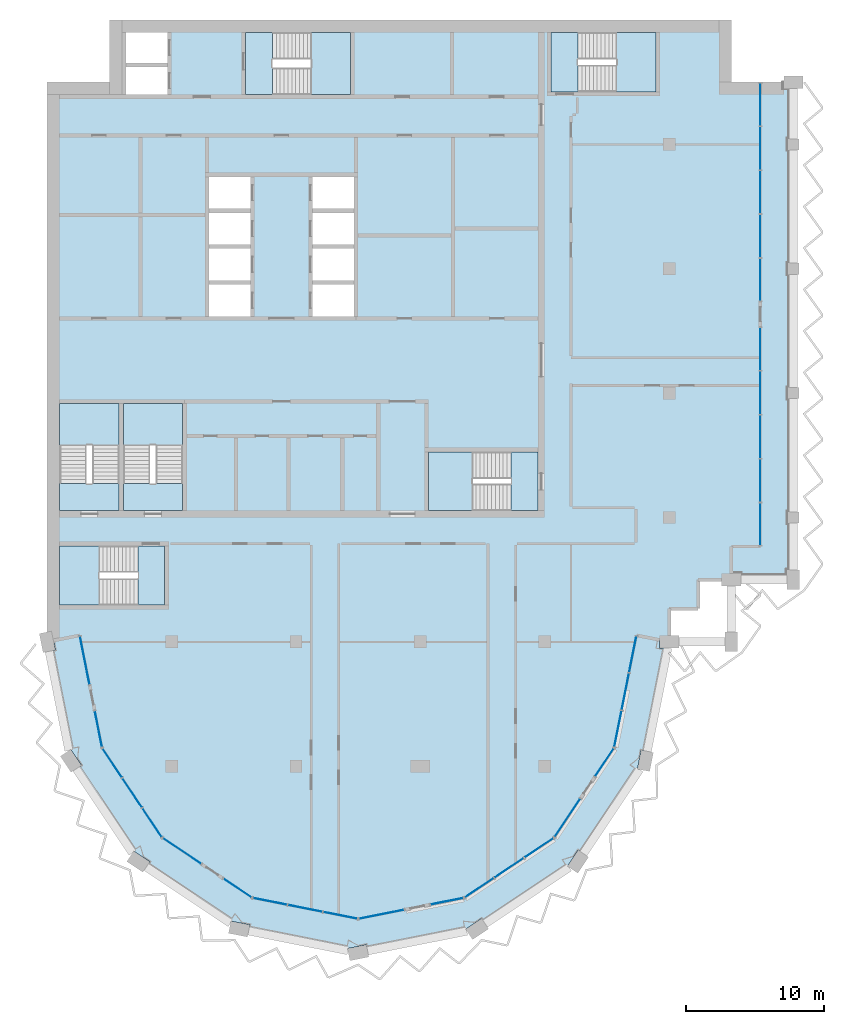
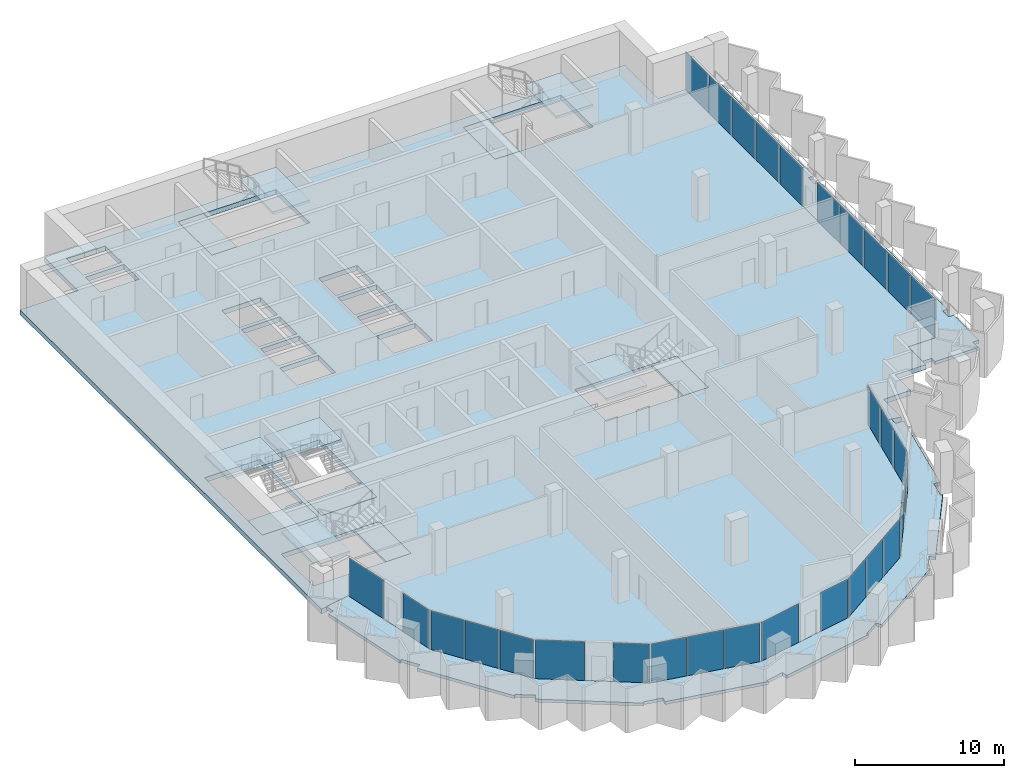
# One storey, part 4 of 13: 30 plates, 15 slabs, 20 elements without a shape of their own.
"""IFC4 building model written with IfcOpenShell, lengths in metres."""

from ifc_helpers import new_model, si_unit, direction, frame, origin, origin_2d, place, context, subcontext, project, spatial, polyline, rectangle, outline, extrude, material, layer, layer_set, type_object, element, aggregate, save


model = new_model("IFC4")

# Units and contexts
model_context = context("Model", 3, precision=1e-05, world=origin(), true_north=direction((0.0, 1.0)))
body_context = subcontext(model_context, "Body", "Model", "MODEL_VIEW")
ifc_project = project(units=[si_unit("LENGTHUNIT", "METRE"), si_unit("AREAUNIT", "SQUARE_METRE"), si_unit("VOLUMEUNIT", "CUBIC_METRE"), si_unit("PLANEANGLEUNIT", "RADIAN"), si_unit("MASSUNIT", "GRAM", prefix="KILO")], contexts=[model_context])

# Site, building, storey
site_placement = place(None, origin())
site = spatial("IfcSite", under=ifc_project, at=site_placement, CompositionType="ELEMENT")
building_placement = place(site_placement, origin())
building = spatial("IfcBuilding", under=site, at=building_placement, Name="Hunhe Ridgeline Campus", CompositionType="ELEMENT")
storey_placement = place(building_placement, frame((0.0, 0.0, 299.300048828125)))
storey = spatial("IfcBuildingStorey", under=building, at=storey_placement, Name="L77", CompositionType="ELEMENT", Elevation=299.300048828125)

# Curtain wall, plate
ifc_material_1 = material(Name="Aluminium 6063", Category="aluminium")
curtain_wall_type = type_object("IfcCurtainWallType", Name="Curtain wall CW-4", PredefinedType="NOTDEFINED", material=ifc_material_1)
curtain_wall_1_placement = place(storey_placement, origin())
curtain_wall_1 = element("IfcCurtainWall", 1, at=curtain_wall_1_placement, inside=storey, type_object=curtain_wall_type, Name="Curtain wall 01", PredefinedType="NOTDEFINED")
ifc_material_2 = material(Name="Low-e laminated glass", Category="glass")
ifc_layer_1 = layer(ifc_material_2, 0.028076171875)
ifc_layer_set_1 = layer_set([ifc_layer_1], Name="Curtain wall glass panel 28 low-e laminated")
plate_type = type_object("IfcPlateType", Name="Curtain wall glass panel 28 low-e laminated", PredefinedType="CURTAIN_PANEL", material=ifc_layer_set_1)
plate_1_placement = place(storey_placement, frame((2.7158203125, 52.65380859375, 0.0), z_axis=(0.0, 0.0, 1.0), x_axis=(0.195095326561, -0.980784284924, 0.0)))
plate_1 = element("IfcPlate", 2, at=plate_1_placement, type_object=plate_type, Name="CW-4 panel 1", PredefinedType="CURTAIN_PANEL", context=body_context, shape_type="SweptSolid", body=[
    extrude(rectangle(XDim=3.540771484375, YDim=0.028076171875, at=origin_2d()), origin(), (0.0, 0.0, 1.0), 3.169921875),
])
aggregate(curtain_wall_1, [plate_1])

curtain_wall_2_placement = place(storey_placement, origin())
curtain_wall_2 = element("IfcCurtainWall", 3, at=curtain_wall_2_placement, inside=storey, type_object=curtain_wall_type, Name="Curtain wall 02", PredefinedType="NOTDEFINED")
plate_2_placement = place(storey_placement, frame((3.701171875, 47.699951171875, 0.0), z_axis=(0.0, 0.0, 1.0), x_axis=(0.195095265587, -0.980784297053, 0.0)))
plate_2 = element("IfcPlate", 4, at=plate_2_placement, type_object=plate_type, Name="CW-4 panel 1", PredefinedType="CURTAIN_PANEL", context=body_context, shape_type="SweptSolid", body=[
    extrude(rectangle(XDim=2.640869140625, YDim=0.028076171875, at=origin_2d()), origin(), (0.0, 0.0, 1.0), 3.169921875),
])
aggregate(curtain_wall_2, [plate_2])

# Curtain wall, plates
curtain_wall_3_placement = place(storey_placement, origin())
curtain_wall_3 = element("IfcCurtainWall", 5, at=curtain_wall_3_placement, inside=storey, type_object=curtain_wall_type, Name="Curtain wall 03", PredefinedType="NOTDEFINED")
plate_3_placement = place(storey_placement, frame((4.7099609375, 45.2255859375, 0.0), z_axis=(0.0, 0.0, 1.0), x_axis=(0.555570274596, -0.831469584522, 0.0)))
plate_3 = element("IfcPlate", 6, at=plate_3_placement, type_object=plate_type, Name="CW-4 panel 1", PredefinedType="CURTAIN_PANEL", context=body_context, shape_type="SweptSolid", body=[
    extrude(rectangle(XDim=2.488037109375, YDim=0.028076171875, at=origin_2d()), origin(), (0.0, 0.0, 1.0), 3.169921875),
])
plate_4_placement = place(storey_placement, frame((6.147705078125, 43.07373046875, 0.0), z_axis=(0.0, 0.0, 1.0), x_axis=(0.555570274596, -0.831469584522, 0.0)))
plate_4 = element("IfcPlate", 7, at=plate_4_placement, type_object=plate_type, Name="CW-4 panel 2", PredefinedType="CURTAIN_PANEL", context=body_context, shape_type="SweptSolid", body=[
    extrude(rectangle(XDim=2.528076171875, YDim=0.028076171875, at=origin_2d()), origin(), (0.0, 0.0, 1.0), 3.169921875),
])
plate_5_placement = place(storey_placement, frame((7.58544921875, 40.921875, 0.0), z_axis=(0.0, 0.0, 1.0), x_axis=(0.555570274596, -0.831469584522, 0.0)))
plate_5 = element("IfcPlate", 8, at=plate_5_placement, type_object=plate_type, Name="CW-4 panel 3", PredefinedType="CURTAIN_PANEL", context=body_context, shape_type="SweptSolid", body=[
    extrude(rectangle(XDim=2.488037109375, YDim=0.028076171875, at=origin_2d()), origin(), (0.0, 0.0, 1.0), 3.169921875),
])
aggregate(curtain_wall_3, [plate_3, plate_4, plate_5])

# Curtain wall, plate
curtain_wall_4_placement = place(storey_placement, origin())
curtain_wall_4 = element("IfcCurtainWall", 9, at=curtain_wall_4_placement, inside=storey, type_object=curtain_wall_type, Name="Curtain wall 04", PredefinedType="NOTDEFINED")
plate_6_placement = place(storey_placement, frame((9.76025390625, 38.859375, 0.0), z_axis=(0.0, 0.0, 1.0), x_axis=(0.831469595944, -0.555570257501, 0.0)))
plate_6 = element("IfcPlate", 10, at=plate_6_placement, type_object=plate_type, Name="CW-4 panel 1", PredefinedType="CURTAIN_PANEL", context=body_context, shape_type="SweptSolid", body=[
    extrude(rectangle(XDim=3.302001953125, YDim=0.028076171875, at=origin_2d()), origin(), (0.0, 0.0, 1.0), 3.169921875),
])
aggregate(curtain_wall_4, [plate_6])

curtain_wall_5_placement = place(storey_placement, origin())
curtain_wall_5 = element("IfcCurtainWall", 11, at=curtain_wall_5_placement, inside=storey, type_object=curtain_wall_type, Name="Curtain wall 05", PredefinedType="NOTDEFINED")
plate_7_placement = place(storey_placement, frame((13.761474609375, 36.18603515625, 0.0), z_axis=(0.0, 0.0, 1.0), x_axis=(0.831469510353, -0.555570385598, 0.0)))
plate_7 = element("IfcPlate", 12, at=plate_7_placement, type_object=plate_type, Name="CW-4 panel 1", PredefinedType="CURTAIN_PANEL", context=body_context, shape_type="SweptSolid", body=[
    extrude(rectangle(XDim=2.40185546875, YDim=0.028076171875, at=origin_2d()), origin(), (0.0, 0.0, 1.0), 3.169921875),
])
aggregate(curtain_wall_5, [plate_7])

# Curtain wall, plates
curtain_wall_6_placement = place(storey_placement, origin())
curtain_wall_6 = element("IfcCurtainWall", 13, at=curtain_wall_6_placement, inside=storey, type_object=curtain_wall_type, Name="Curtain wall 06", PredefinedType="NOTDEFINED")
plate_8_placement = place(storey_placement, frame((16.125, 35.216064453125, 0.0), z_axis=(0.0, 0.0, 1.0), x_axis=(0.980785275326, -0.195090347539, 0.0)))
plate_8 = element("IfcPlate", 14, at=plate_8_placement, type_object=plate_type, Name="CW-4 panel 1", PredefinedType="CURTAIN_PANEL", context=body_context, shape_type="SweptSolid", body=[
    extrude(rectangle(XDim=2.488037109375, YDim=0.028076171875, at=origin_2d()), origin(), (0.0, 0.0, 1.0), 3.169921875),
])
plate_9_placement = place(storey_placement, frame((18.663330078125, 34.711181640625, 0.0), z_axis=(0.0, 0.0, 1.0), x_axis=(0.980785275326, -0.195090347539, 0.0)))
plate_9 = element("IfcPlate", 15, at=plate_9_placement, type_object=plate_type, Name="CW-4 panel 2", PredefinedType="CURTAIN_PANEL", context=body_context, shape_type="SweptSolid", body=[
    extrude(rectangle(XDim=2.528076171875, YDim=0.028076171875, at=origin_2d()), origin(), (0.0, 0.0, 1.0), 3.169921875),
])
plate_10_placement = place(storey_placement, frame((21.201416015625, 34.206298828125, 0.0), z_axis=(0.0, 0.0, 1.0), x_axis=(0.980785275326, -0.195090347539, 0.0)))
plate_10 = element("IfcPlate", 16, at=plate_10_placement, type_object=plate_type, Name="CW-4 panel 3", PredefinedType="CURTAIN_PANEL", context=body_context, shape_type="SweptSolid", body=[
    extrude(rectangle(XDim=2.488037109375, YDim=0.028076171875, at=origin_2d()), origin(), (0.0, 0.0, 1.0), 3.169921875),
])
aggregate(curtain_wall_6, [plate_8, plate_9, plate_10])

# Curtain wall, plate
curtain_wall_7_placement = place(storey_placement, origin())
curtain_wall_7 = element("IfcCurtainWall", 17, at=curtain_wall_7_placement, inside=storey, type_object=curtain_wall_type, Name="Curtain wall 07", PredefinedType="NOTDEFINED")
plate_11_placement = place(storey_placement, frame((24.19775390625, 34.28564453125, 0.0), z_axis=(0.0, 0.0, 1.0), x_axis=(0.980785270791, 0.19509037034, 0.0)))
plate_11 = element("IfcPlate", 18, at=plate_11_placement, type_object=plate_type, Name="CW-4 panel 1", PredefinedType="CURTAIN_PANEL", context=body_context, shape_type="SweptSolid", body=[
    extrude(rectangle(XDim=3.302001953125, YDim=0.028076171875, at=origin_2d()), origin(), (0.0, 0.0, 1.0), 3.169921875),
])
aggregate(curtain_wall_7, [plate_11])

curtain_wall_8_placement = place(storey_placement, origin())
curtain_wall_8 = element("IfcCurtainWall", 19, at=curtain_wall_8_placement, inside=storey, type_object=curtain_wall_type, Name="Curtain wall 08", PredefinedType="NOTDEFINED")
plate_12_placement = place(storey_placement, frame((28.917236328125, 35.224609375, 0.0), z_axis=(0.0, 0.0, 1.0), x_axis=(0.980785242091, 0.195090514627, 0.0)))
plate_12 = element("IfcPlate", 20, at=plate_12_placement, type_object=plate_type, Name="CW-4 panel 1", PredefinedType="CURTAIN_PANEL", context=body_context, shape_type="SweptSolid", body=[
    extrude(rectangle(XDim=2.40185546875, YDim=0.028076171875, at=origin_2d()), origin(), (0.0, 0.0, 1.0), 3.169921875),
])
aggregate(curtain_wall_8, [plate_12])

# Curtain wall, plates
curtain_wall_9_placement = place(storey_placement, origin())
curtain_wall_9 = element("IfcCurtainWall", 21, at=curtain_wall_9_placement, inside=storey, type_object=curtain_wall_type, Name="Curtain wall 09", PredefinedType="NOTDEFINED")
plate_13_placement = place(storey_placement, frame((31.2744140625, 36.2099609375, 0.0), z_axis=(0.0, 0.0, 1.0), x_axis=(0.831469584522, 0.555570274596, 0.0)))
plate_13 = element("IfcPlate", 22, at=plate_13_placement, type_object=plate_type, Name="CW-4 panel 1", PredefinedType="CURTAIN_PANEL", context=body_context, shape_type="SweptSolid", body=[
    extrude(rectangle(XDim=2.488037109375, YDim=0.028076171875, at=origin_2d()), origin(), (0.0, 0.0, 1.0), 3.169921875),
])
plate_14_placement = place(storey_placement, frame((33.42626953125, 37.647705078125, 0.0), z_axis=(0.0, 0.0, 1.0), x_axis=(0.831469584522, 0.555570274596, 0.0)))
plate_14 = element("IfcPlate", 23, at=plate_14_placement, type_object=plate_type, Name="CW-4 panel 2", PredefinedType="CURTAIN_PANEL", context=body_context, shape_type="SweptSolid", body=[
    extrude(rectangle(XDim=2.528076171875, YDim=0.028076171875, at=origin_2d()), origin(), (0.0, 0.0, 1.0), 3.169921875),
])
plate_15_placement = place(storey_placement, frame((35.578125, 39.08544921875, 0.0), z_axis=(0.0, 0.0, 1.0), x_axis=(0.831469584522, 0.555570274596, 0.0)))
plate_15 = element("IfcPlate", 24, at=plate_15_placement, type_object=plate_type, Name="CW-4 panel 3", PredefinedType="CURTAIN_PANEL", context=body_context, shape_type="SweptSolid", body=[
    extrude(rectangle(XDim=2.488037109375, YDim=0.028076171875, at=origin_2d()), origin(), (0.0, 0.0, 1.0), 3.169921875),
])
aggregate(curtain_wall_9, [plate_13, plate_14, plate_15])

# Curtain wall, plate
curtain_wall_10_placement = place(storey_placement, origin())
curtain_wall_10 = element("IfcCurtainWall", 25, at=curtain_wall_10_placement, inside=storey, type_object=curtain_wall_type, Name="Curtain wall 10", PredefinedType="NOTDEFINED")
plate_16_placement = place(storey_placement, frame((37.640625, 41.26025390625, 0.0), z_axis=(0.0, 0.0, 1.0), x_axis=(0.555570257501, 0.831469595944, 0.0)))
plate_16 = element("IfcPlate", 26, at=plate_16_placement, type_object=plate_type, Name="CW-4 panel 1", PredefinedType="CURTAIN_PANEL", context=body_context, shape_type="SweptSolid", body=[
    extrude(rectangle(XDim=3.302001953125, YDim=0.028076171875, at=origin_2d()), origin(), (0.0, 0.0, 1.0), 3.169921875),
])
aggregate(curtain_wall_10, [plate_16])

curtain_wall_11_placement = place(storey_placement, origin())
curtain_wall_11 = element("IfcCurtainWall", 27, at=curtain_wall_11_placement, inside=storey, type_object=curtain_wall_type, Name="Curtain wall 11", PredefinedType="NOTDEFINED")
plate_17_placement = place(storey_placement, frame((40.31396484375, 45.261474609375, 0.0), z_axis=(0.0, 0.0, 1.0), x_axis=(0.555570385598, 0.831469510353, 0.0)))
plate_17 = element("IfcPlate", 28, at=plate_17_placement, type_object=plate_type, Name="CW-4 panel 1", PredefinedType="CURTAIN_PANEL", context=body_context, shape_type="SweptSolid", body=[
    extrude(rectangle(XDim=2.40185546875, YDim=0.028076171875, at=origin_2d()), origin(), (0.0, 0.0, 1.0), 3.169921875),
])
aggregate(curtain_wall_11, [plate_17])

# Curtain wall, plates
curtain_wall_12_placement = place(storey_placement, origin())
curtain_wall_12 = element("IfcCurtainWall", 29, at=curtain_wall_12_placement, inside=storey, type_object=curtain_wall_type, Name="Curtain wall 12", PredefinedType="NOTDEFINED")
plate_18_placement = place(storey_placement, frame((41.299560546875, 47.703125, 0.0), z_axis=(0.0, 0.0, 1.0), x_axis=(0.19510421996, 0.980782515828, 0.0)))
plate_18 = element("IfcPlate", 30, at=plate_18_placement, type_object=plate_type, Name="CW-4 panel 1", PredefinedType="CURTAIN_PANEL", context=body_context, shape_type="SweptSolid", body=[
    extrude(rectangle(XDim=2.647216796875, YDim=0.028076171875, at=origin_2d()), origin(), (0.0, 0.0, 1.0), 3.169921875),
])
plate_19_placement = place(storey_placement, frame((41.83544921875, 50.397705078125, 0.0), z_axis=(0.0, 0.0, 1.0), x_axis=(0.19510421996, 0.980782515828, 0.0)))
plate_19 = element("IfcPlate", 31, at=plate_19_placement, type_object=plate_type, Name="CW-4 panel 2", PredefinedType="CURTAIN_PANEL", context=body_context, shape_type="SweptSolid", body=[
    extrude(rectangle(XDim=2.687255859375, YDim=0.028076171875, at=origin_2d()), origin(), (0.0, 0.0, 1.0), 3.169921875),
])
plate_20_placement = place(storey_placement, frame((42.37158203125, 53.09228515625, 0.0), z_axis=(0.0, 0.0, 1.0), x_axis=(0.19510421996, 0.980782515828, 0.0)))
plate_20 = element("IfcPlate", 32, at=plate_20_placement, type_object=plate_type, Name="CW-4 panel 3", PredefinedType="CURTAIN_PANEL", context=body_context, shape_type="SweptSolid", body=[
    extrude(rectangle(XDim=2.647216796875, YDim=0.028076171875, at=origin_2d()), origin(), (0.0, 0.0, 1.0), 3.169921875),
])
aggregate(curtain_wall_12, [plate_18, plate_19, plate_20])

curtain_wall_13_placement = place(storey_placement, origin())
curtain_wall_13 = element("IfcCurtainWall", 33, at=curtain_wall_13_placement, inside=storey, type_object=curtain_wall_type, Name="Curtain wall 13", PredefinedType="NOTDEFINED")
plate_21_placement = place(storey_placement, frame((51.59912109375, 62.510986328125, 0.0), z_axis=(0.0, 0.0, 1.0), x_axis=(0.0, 1.0, 0.0)))
plate_21 = element("IfcPlate", 34, at=plate_21_placement, type_object=plate_type, Name="CW-4 panel 1", PredefinedType="CURTAIN_PANEL", context=body_context, shape_type="SweptSolid", body=[
    extrude(rectangle(XDim=3.059814453125, YDim=0.028076171875, at=origin_2d()), origin(), (0.0, 0.0, 1.0), 3.169921875),
])
plate_22_placement = place(storey_placement, frame((51.59912109375, 65.6708984375, 0.0), z_axis=(0.0, 0.0, 1.0), x_axis=(0.0, 1.0, 0.0)))
plate_22 = element("IfcPlate", 35, at=plate_22_placement, type_object=plate_type, Name="CW-4 panel 2", PredefinedType="CURTAIN_PANEL", context=body_context, shape_type="SweptSolid", body=[
    extrude(rectangle(XDim=3.099853515625, YDim=0.028076171875, at=origin_2d()), origin(), (0.0, 0.0, 1.0), 3.169921875),
])
plate_23_placement = place(storey_placement, frame((51.59912109375, 68.850830078125, 0.0), z_axis=(0.0, 0.0, 1.0), x_axis=(0.0, 1.0, 0.0)))
plate_23 = element("IfcPlate", 36, at=plate_23_placement, type_object=plate_type, Name="CW-4 panel 3", PredefinedType="CURTAIN_PANEL", context=body_context, shape_type="SweptSolid", body=[
    extrude(rectangle(XDim=3.099853515625, YDim=0.028076171875, at=origin_2d()), origin(), (0.0, 0.0, 1.0), 3.169921875),
])
plate_24_placement = place(storey_placement, frame((51.59912109375, 72.03076171875, 0.0), z_axis=(0.0, 0.0, 1.0), x_axis=(0.0, 1.0, 0.0)))
plate_24 = element("IfcPlate", 37, at=plate_24_placement, type_object=plate_type, Name="CW-4 panel 4", PredefinedType="CURTAIN_PANEL", context=body_context, shape_type="SweptSolid", body=[
    extrude(rectangle(XDim=3.099853515625, YDim=0.028076171875, at=origin_2d()), origin(), (0.0, 0.0, 1.0), 3.169921875),
])
plate_25_placement = place(storey_placement, frame((51.59912109375, 75.1904296875, 0.0), z_axis=(0.0, 0.0, 1.0), x_axis=(0.0, 1.0, 0.0)))
plate_25 = element("IfcPlate", 38, at=plate_25_placement, type_object=plate_type, Name="CW-4 panel 5", PredefinedType="CURTAIN_PANEL", context=body_context, shape_type="SweptSolid", body=[
    extrude(rectangle(XDim=3.059814453125, YDim=0.028076171875, at=origin_2d()), origin(), (0.0, 0.0, 1.0), 3.169921875),
])
aggregate(curtain_wall_13, [plate_21, plate_22, plate_23, plate_24, plate_25])

curtain_wall_14_placement = place(storey_placement, origin())
curtain_wall_14 = element("IfcCurtainWall", 39, at=curtain_wall_14_placement, inside=storey, type_object=curtain_wall_type, Name="Curtain wall 14", PredefinedType="NOTDEFINED")
plate_26_placement = place(storey_placement, frame((51.59912109375, 80.21044921875, 0.0), z_axis=(0.0, 0.0, 1.0), x_axis=(0.0, 1.0, 0.0)))
plate_26 = element("IfcPlate", 40, at=plate_26_placement, type_object=plate_type, Name="CW-4 panel 1", PredefinedType="CURTAIN_PANEL", context=body_context, shape_type="SweptSolid", body=[
    extrude(rectangle(XDim=3.059814453125, YDim=0.028076171875, at=origin_2d()), origin(), (0.0, 0.0, 1.0), 3.169921875),
])
plate_27_placement = place(storey_placement, frame((51.59912109375, 83.370361328125, 0.0), z_axis=(0.0, 0.0, 1.0), x_axis=(0.0, 1.0, 0.0)))
plate_27 = element("IfcPlate", 41, at=plate_27_placement, type_object=plate_type, Name="CW-4 panel 2", PredefinedType="CURTAIN_PANEL", context=body_context, shape_type="SweptSolid", body=[
    extrude(rectangle(XDim=3.099853515625, YDim=0.028076171875, at=origin_2d()), origin(), (0.0, 0.0, 1.0), 3.169921875),
])
plate_28_placement = place(storey_placement, frame((51.59912109375, 86.55029296875, 0.0), z_axis=(0.0, 0.0, 1.0), x_axis=(0.0, 1.0, 0.0)))
plate_28 = element("IfcPlate", 42, at=plate_28_placement, type_object=plate_type, Name="CW-4 panel 3", PredefinedType="CURTAIN_PANEL", context=body_context, shape_type="SweptSolid", body=[
    extrude(rectangle(XDim=3.099853515625, YDim=0.028076171875, at=origin_2d()), origin(), (0.0, 0.0, 1.0), 3.169921875),
])
plate_29_placement = place(storey_placement, frame((51.59912109375, 89.730224609375, 0.0), z_axis=(0.0, 0.0, 1.0), x_axis=(0.0, 1.0, 0.0)))
plate_29 = element("IfcPlate", 43, at=plate_29_placement, type_object=plate_type, Name="CW-4 panel 4", PredefinedType="CURTAIN_PANEL", context=body_context, shape_type="SweptSolid", body=[
    extrude(rectangle(XDim=3.099853515625, YDim=0.028076171875, at=origin_2d()), origin(), (0.0, 0.0, 1.0), 3.169921875),
])
plate_30_placement = place(storey_placement, frame((51.59912109375, 92.89013671875, 0.0), z_axis=(0.0, 0.0, 1.0), x_axis=(0.0, 1.0, 0.0)))
plate_30 = element("IfcPlate", 44, at=plate_30_placement, type_object=plate_type, Name="CW-4 panel 5", PredefinedType="CURTAIN_PANEL", context=body_context, shape_type="SweptSolid", body=[
    extrude(rectangle(XDim=3.059814453125, YDim=0.028076171875, at=origin_2d()), origin(), (0.0, 0.0, 1.0), 3.169921875),
])
aggregate(curtain_wall_14, [plate_26, plate_27, plate_28, plate_29, plate_30])

# Slabs
ifc_material_3 = material(Name="Concrete C40", Category="concrete")
ifc_layer_2 = layer(ifc_material_3, 0.39990234375)
ifc_layer_set_2 = layer_set([ifc_layer_2], Name="Floor slab 400 Concrete C40")
slab_type_1 = type_object("IfcSlabType", Name="Floor slab 400 Concrete C40", PredefinedType="FLOOR", material=ifc_layer_set_2)
slab_1_placement = place(storey_placement, frame((0.0, 0.0, -0.400146484375)))
element("IfcSlab", 45, at=slab_1_placement, inside=storey, type_object=slab_type_1, Name="Floor slab L77 1", PredefinedType="FLOOR", context=body_context, shape_type="SweptSolid", body=[
    extrude(outline(polyline([(36.678955078125, 39.821044921875), (41.025634765625, 46.326416015625), (42.645263671875, 54.46875), (44.9990234375, 54.001220703125), (44.999267578125, 56.400634765625), (47.09912109375, 56.40087890625), (47.099609375, 58.5009765625), (49.4990234375, 58.5009765625), (49.49951171875, 60.90087890625), (51.59912109375, 60.90087890625), (51.59912109375, 94.5), (49.5, 94.5), (49.5, 99.0), (4.5, 99.0), (4.5, 94.5), (0.0, 94.5), (0.0, 54.0009765625), (2.354736328125, 54.46875), (3.974365234375, 46.326416015625), (8.321044921875, 39.821044921875), (14.826416015625, 35.474365234375), (22.5, 33.947998046875), (30.173583984375, 35.474365234375), (36.678955078125, 39.821044921875)]), holes=[polyline([(44.050048828125, 98.10009765625), (36.449951171875, 98.10009765625), (36.449951171875, 93.800048828125), (44.050048828125, 93.800048828125), (44.050048828125, 98.10009765625)]), polyline([(27.60009765625, 67.75), (27.60009765625, 63.5), (35.5, 63.5), (35.5, 67.75), (27.60009765625, 67.75)]), polyline([(22.199951171875, 85.35009765625), (22.199951171875, 87.64990234375), (19.199951171875, 87.64990234375), (19.199951171875, 85.35009765625), (22.199951171875, 85.35009765625)]), polyline([(22.199951171875, 85.050048828125), (19.199951171875, 85.050048828125), (19.199951171875, 82.75), (22.199951171875, 82.75), (22.199951171875, 85.050048828125)]), polyline([(19.199951171875, 82.449951171875), (19.199951171875, 80.14990234375), (22.199951171875, 80.14990234375), (22.199951171875, 82.449951171875), (19.199951171875, 82.449951171875)]), polyline([(19.199951171875, 77.550048828125), (22.199951171875, 77.550048828125), (22.199951171875, 79.85009765625), (19.199951171875, 79.85009765625), (19.199951171875, 77.550048828125)]), polyline([(21.949951171875, 98.10009765625), (14.35009765625, 98.10009765625), (14.35009765625, 93.60009765625), (21.949951171875, 93.60009765625), (21.949951171875, 98.10009765625)]), polyline([(14.699951171875, 85.35009765625), (14.699951171875, 87.64990234375), (11.699951171875, 87.64990234375), (11.699951171875, 85.35009765625), (14.699951171875, 85.35009765625)]), polyline([(14.699951171875, 85.050048828125), (11.699951171875, 85.050048828125), (11.699951171875, 82.75), (14.699951171875, 82.75), (14.699951171875, 85.050048828125)]), polyline([(11.699951171875, 82.449951171875), (11.699951171875, 80.14990234375), (14.699951171875, 80.14990234375), (14.699951171875, 82.449951171875), (11.699951171875, 82.449951171875)]), polyline([(11.699951171875, 77.550048828125), (14.699951171875, 77.550048828125), (14.699951171875, 79.85009765625), (11.699951171875, 79.85009765625), (11.699951171875, 77.550048828125)]), polyline([(5.5, 63.5), (9.800048828125, 63.5), (9.800048828125, 71.25), (5.5, 71.25), (5.5, 63.5)]), polyline([(5.699951171875, 98.10009765625), (5.699951171875, 95.89990234375), (8.699951171875, 95.89990234375), (8.699951171875, 98.10009765625), (5.699951171875, 98.10009765625)]), polyline([(5.699951171875, 93.60009765625), (8.699951171875, 93.60009765625), (8.699951171875, 95.60009765625), (5.699951171875, 95.60009765625), (5.699951171875, 93.60009765625)]), polyline([(0.89990234375, 60.949951171875), (0.89990234375, 56.64990234375), (8.5, 56.64990234375), (8.5, 60.949951171875), (0.89990234375, 60.949951171875)]), polyline([(5.199951171875, 63.5), (5.199951171875, 71.25), (0.89990234375, 71.25), (0.89990234375, 63.5), (5.199951171875, 63.5)])]), origin(), (0.0, 0.0, 1.0), 0.400146484375),
])
ifc_layer_3 = layer(ifc_material_3, 0.25)
ifc_layer_set_3 = layer_set([ifc_layer_3], Name="Loggia slab 250 Concrete C40")
slab_type_2 = type_object("IfcSlabType", Name="Loggia slab 250 Concrete C40", PredefinedType="FLOOR", material=ifc_layer_set_3)
slab_2_placement = place(storey_placement, frame((0.0, 0.0, -0.25)))
element("IfcSlab", 46, at=slab_2_placement, inside=storey, type_object=slab_type_2, Name="Loggia slab 1", PredefinedType="FLOOR", context=body_context, shape_type="SweptSolid", body=[
    extrude(outline(polyline([(30.173828125, 35.473388671875), (22.5, 33.947021484375), (14.826171875, 35.473388671875), (8.3203125, 39.8203125), (3.973388671875, 46.326171875), (2.35400390625, 54.46826171875), (0.44140625, 54.087890625), (0.577880859375, 53.401123046875), (0.136474609375, 53.3134765625), (1.56494140625, 46.1328125), (1.697998046875, 46.2216796875), (2.475830078125, 45.0576171875), (2.1015625, 44.8076171875), (6.169189453125, 38.719970703125), (6.258056640625, 38.853271484375), (7.422119140625, 38.075439453125), (7.172119140625, 37.701171875), (13.259521484375, 33.633544921875), (13.290771484375, 33.79052734375), (14.6640625, 33.517578125), (14.576171875, 33.076171875), (21.7568359375, 31.647705078125), (21.7255859375, 31.8046875), (23.098876953125, 32.077880859375), (23.1865234375, 31.636474609375), (30.3671875, 33.06494140625), (30.2783203125, 33.197998046875), (31.4423828125, 33.975830078125), (31.6923828125, 33.6015625), (37.780029296875, 37.669189453125), (37.646728515625, 37.758056640625), (38.424560546875, 38.922119140625), (38.798828125, 38.672119140625), (42.866455078125, 44.759521484375), (42.70947265625, 44.790771484375), (42.982421875, 46.1640625), (43.423828125, 46.076171875), (44.910400390625, 53.550048828125), (44.300048828125, 53.550048828125), (44.300048828125, 54.13916015625), (42.64599609375, 54.46826171875), (41.026611328125, 46.326171875), (36.6796875, 39.8203125), (30.173828125, 35.473388671875)])), origin(), (0.0, 0.0, 1.0), 0.25),
])
slab_3_placement = place(storey_placement, frame((0.0, 0.0, -0.25)))
element("IfcSlab", 47, at=slab_3_placement, inside=storey, type_object=slab_type_2, Name="Loggia slab 2", PredefinedType="FLOOR", context=body_context, shape_type="SweptSolid", body=[
    extrude(outline(polyline([(49.5, 58.949951171875), (50.199951171875, 58.949951171875), (50.199951171875, 58.5), (53.550048828125, 58.5), (53.550048828125, 59.199951171875), (54.0, 59.199951171875), (54.0, 62.60009765625), (53.60009765625, 62.60009765625), (53.60009765625, 63.39990234375), (54.0, 63.39990234375), (54.0, 71.60009765625), (53.60009765625, 71.60009765625), (53.60009765625, 72.39990234375), (54.0, 72.39990234375), (54.0, 80.60009765625), (53.60009765625, 80.60009765625), (53.60009765625, 81.39990234375), (54.0, 81.39990234375), (54.0, 89.60009765625), (53.60009765625, 89.60009765625), (53.60009765625, 90.39990234375), (54.0, 90.39990234375), (54.0, 94.050048828125), (53.300048828125, 94.050048828125), (53.300048828125, 94.5), (51.60009765625, 94.5), (51.60009765625, 60.89990234375), (49.5, 60.89990234375), (49.5, 58.949951171875)])), origin(), (0.0, 0.0, 1.0), 0.25),
])

# Stair, slab
stair_type = type_object("IfcStairType", Name="Reinforced concrete dog-leg stair 1950 Concrete C40", PredefinedType="HALF_TURN_STAIR", material=ifc_material_3)
stair_1_placement = place(storey_placement, origin())
stair_1 = element("IfcStair", 48, at=stair_1_placement, inside=storey, type_object=stair_type, Name="L77 S1", PredefinedType="HALF_TURN_STAIR")
ifc_layer_4 = layer(ifc_material_3, 0.199951171875)
ifc_layer_set_4 = layer_set([ifc_layer_4], Name="Reinforced concrete stair landing 200 Concrete C40")
slab_type_3 = type_object("IfcSlabType", Name="Reinforced concrete stair landing 200 Concrete C40", PredefinedType="LANDING", material=ifc_layer_set_4)
slab_4_placement = place(storey_placement, frame((0.0, 0.0, 1.64990234375)))
slab_4 = element("IfcSlab", 49, at=slab_4_placement, type_object=slab_type_3, Name="ST1 landing 1", PredefinedType="LANDING", context=body_context, shape_type="SweptSolid", body=[
    extrude(outline(polyline([(19.10009765625, 93.60009765625), (21.949951171875, 93.60009765625), (21.949951171875, 98.10009765625), (19.10009765625, 98.10009765625), (19.10009765625, 93.60009765625)])), origin(), (0.0, 0.0, 1.0), 0.199951171875),
])
aggregate(stair_1, [slab_4])

# Slab
slab_5_placement = place(storey_placement, frame((0.0, 0.0, -0.199951171875)))
element("IfcSlab", 50, at=slab_5_placement, inside=storey, type_object=slab_type_3, Name="L77 stair S1 floor landing", PredefinedType="LANDING", context=body_context, shape_type="SweptSolid", body=[
    extrude(outline(polyline([(14.35009765625, 93.60009765625), (16.300048828125, 93.60009765625), (16.300048828125, 98.10009765625), (14.35009765625, 98.10009765625), (14.35009765625, 93.60009765625)])), origin(), (0.0, 0.0, 1.0), 0.199951171875),
])

# Stair, slab
stair_2_placement = place(storey_placement, origin())
stair_2 = element("IfcStair", 51, at=stair_2_placement, inside=storey, type_object=stair_type, Name="L77 S2", PredefinedType="HALF_TURN_STAIR")
slab_6_placement = place(storey_placement, frame((0.0, 0.0, 1.64990234375)))
slab_6 = element("IfcSlab", 52, at=slab_6_placement, type_object=slab_type_3, Name="ST2 landing 1", PredefinedType="LANDING", context=body_context, shape_type="SweptSolid", body=[
    extrude(outline(polyline([(30.75, 67.75), (27.60009765625, 67.75), (27.60009765625, 63.5), (30.75, 63.5), (30.75, 67.75)])), origin(), (0.0, 0.0, 1.0), 0.199951171875),
])
aggregate(stair_2, [slab_6])

# Slab
slab_7_placement = place(storey_placement, frame((0.0, 0.0, -0.199951171875)))
element("IfcSlab", 53, at=slab_7_placement, inside=storey, type_object=slab_type_3, Name="L77 stair S2 floor landing", PredefinedType="LANDING", context=body_context, shape_type="SweptSolid", body=[
    extrude(outline(polyline([(35.5, 67.75), (33.550048828125, 67.75), (33.550048828125, 63.5), (35.5, 63.5), (35.5, 67.75)])), origin(), (0.0, 0.0, 1.0), 0.199951171875),
])

# Stair, slab
stair_3_placement = place(storey_placement, origin())
stair_3 = element("IfcStair", 54, at=stair_3_placement, inside=storey, type_object=stair_type, Name="L77 S3", PredefinedType="HALF_TURN_STAIR")
slab_8_placement = place(storey_placement, frame((0.0, 0.0, 1.64990234375)))
slab_8 = element("IfcSlab", 55, at=slab_8_placement, type_object=slab_type_3, Name="ST3 landing 1", PredefinedType="LANDING", context=body_context, shape_type="SweptSolid", body=[
    extrude(outline(polyline([(5.199951171875, 68.25), (5.199951171875, 71.25), (0.89990234375, 71.25), (0.89990234375, 68.25), (5.199951171875, 68.25)])), origin(), (0.0, 0.0, 1.0), 0.199951171875),
])
aggregate(stair_3, [slab_8])

# Slab
slab_9_placement = place(storey_placement, frame((0.0, 0.0, -0.199951171875)))
element("IfcSlab", 56, at=slab_9_placement, inside=storey, type_object=slab_type_3, Name="L77 stair S3 floor landing", PredefinedType="LANDING", context=body_context, shape_type="SweptSolid", body=[
    extrude(outline(polyline([(5.199951171875, 63.5), (5.199951171875, 65.449951171875), (0.89990234375, 65.449951171875), (0.89990234375, 63.5), (5.199951171875, 63.5)])), origin(), (0.0, 0.0, 1.0), 0.199951171875),
])

# Stair, slab
stair_4_placement = place(storey_placement, origin())
stair_4 = element("IfcStair", 57, at=stair_4_placement, inside=storey, type_object=stair_type, Name="L77 S4", PredefinedType="HALF_TURN_STAIR")
slab_10_placement = place(storey_placement, frame((0.0, 0.0, 1.64990234375)))
slab_10 = element("IfcSlab", 58, at=slab_10_placement, type_object=slab_type_3, Name="ST4 landing 1", PredefinedType="LANDING", context=body_context, shape_type="SweptSolid", body=[
    extrude(outline(polyline([(9.800048828125, 68.25), (9.800048828125, 71.25), (5.5, 71.25), (5.5, 68.25), (9.800048828125, 68.25)])), origin(), (0.0, 0.0, 1.0), 0.199951171875),
])
aggregate(stair_4, [slab_10])

# Slab
slab_11_placement = place(storey_placement, frame((0.0, 0.0, -0.199951171875)))
element("IfcSlab", 59, at=slab_11_placement, inside=storey, type_object=slab_type_3, Name="L77 stair S4 floor landing", PredefinedType="LANDING", context=body_context, shape_type="SweptSolid", body=[
    extrude(outline(polyline([(9.800048828125, 63.5), (9.800048828125, 65.449951171875), (5.5, 65.449951171875), (5.5, 63.5), (9.800048828125, 63.5)])), origin(), (0.0, 0.0, 1.0), 0.199951171875),
])

# Stair, slab
stair_5_placement = place(storey_placement, origin())
stair_5 = element("IfcStair", 60, at=stair_5_placement, inside=storey, type_object=stair_type, Name="L77 E1", PredefinedType="HALF_TURN_STAIR")
slab_12_placement = place(storey_placement, frame((0.0, 0.0, 1.64990234375)))
slab_12 = element("IfcSlab", 61, at=slab_12_placement, type_object=slab_type_3, Name="ST5 landing 1", PredefinedType="LANDING", context=body_context, shape_type="SweptSolid", body=[
    extrude(outline(polyline([(41.199951171875, 93.800048828125), (44.050048828125, 93.800048828125), (44.050048828125, 98.10009765625), (41.199951171875, 98.10009765625), (41.199951171875, 93.800048828125)])), origin(), (0.0, 0.0, 1.0), 0.199951171875),
])
aggregate(stair_5, [slab_12])

# Slab
slab_13_placement = place(storey_placement, frame((0.0, 0.0, -0.199951171875)))
element("IfcSlab", 62, at=slab_13_placement, inside=storey, type_object=slab_type_3, Name="L77 stair E1 floor landing", PredefinedType="LANDING", context=body_context, shape_type="SweptSolid", body=[
    extrude(outline(polyline([(36.449951171875, 93.800048828125), (38.39990234375, 93.800048828125), (38.39990234375, 98.10009765625), (36.449951171875, 98.10009765625), (36.449951171875, 93.800048828125)])), origin(), (0.0, 0.0, 1.0), 0.199951171875),
])

# Stair, slab
stair_6_placement = place(storey_placement, origin())
stair_6 = element("IfcStair", 63, at=stair_6_placement, inside=storey, type_object=stair_type, Name="L77 W2", PredefinedType="HALF_TURN_STAIR")
slab_14_placement = place(storey_placement, frame((0.0, 0.0, 1.64990234375)))
slab_14 = element("IfcSlab", 64, at=slab_14_placement, type_object=slab_type_3, Name="ST12 landing 1", PredefinedType="LANDING", context=body_context, shape_type="SweptSolid", body=[
    extrude(outline(polyline([(3.75, 60.949951171875), (0.89990234375, 60.949951171875), (0.89990234375, 56.64990234375), (3.75, 56.64990234375), (3.75, 60.949951171875)])), origin(), (0.0, 0.0, 1.0), 0.199951171875),
])
aggregate(stair_6, [slab_14])

# Slab
slab_15_placement = place(storey_placement, frame((0.0, 0.0, -0.199951171875)))
element("IfcSlab", 65, at=slab_15_placement, inside=storey, type_object=slab_type_3, Name="L77 stair W2 floor landing", PredefinedType="LANDING", context=body_context, shape_type="SweptSolid", body=[
    extrude(outline(polyline([(8.5, 60.949951171875), (6.550048828125, 60.949951171875), (6.550048828125, 56.64990234375), (8.5, 56.64990234375), (8.5, 60.949951171875)])), origin(), (0.0, 0.0, 1.0), 0.199951171875),
])

save(model, "model.ifc")
